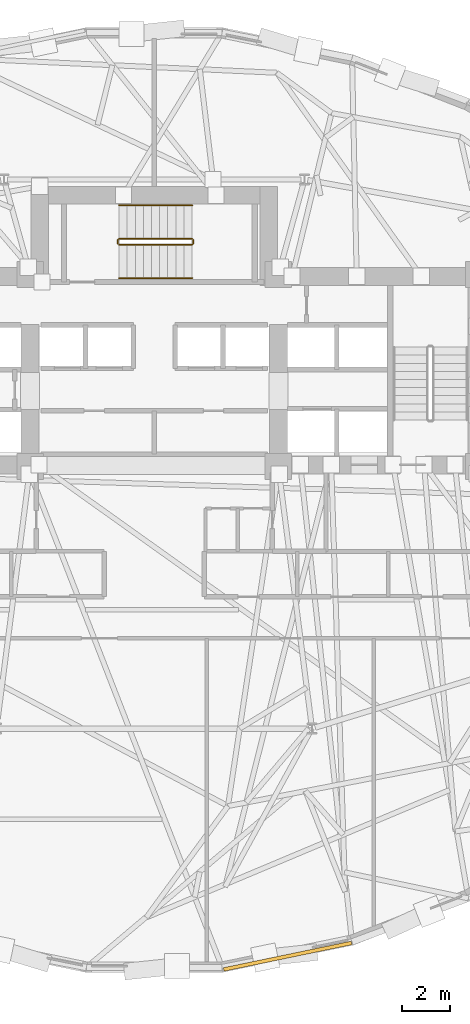
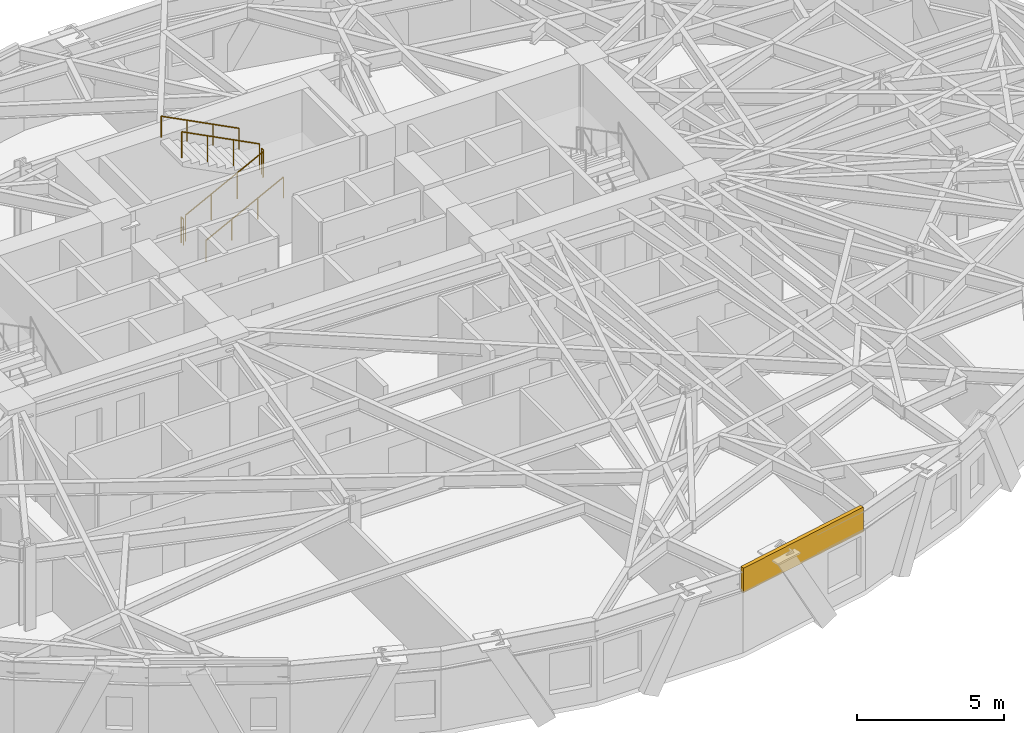
# One storey, part 12 of 14: 6 railings, 1 covering.
"""IFC4 building model written with IfcOpenShell, lengths in metres."""

from ifc_helpers import new_model, si_unit, direction, frame, origin, origin_2d, place, context, subcontext, project, spatial, rectangle, circle, extrude, material, layer, layer_set, type_object, element, save


model = new_model("IFC4")

# Units and contexts
model_context = context("Model", 3, precision=1e-05, world=origin(), true_north=direction((0.0, 1.0)))
body_context = subcontext(model_context, "Body", "Model", "MODEL_VIEW")
ifc_project = project(units=[si_unit("LENGTHUNIT", "METRE"), si_unit("AREAUNIT", "SQUARE_METRE"), si_unit("VOLUMEUNIT", "CUBIC_METRE"), si_unit("PLANEANGLEUNIT", "RADIAN"), si_unit("MASSUNIT", "GRAM", prefix="KILO")], contexts=[model_context])

# Site, building, storey
site_placement = place(None, origin())
site = spatial("IfcSite", under=ifc_project, at=site_placement, CompositionType="ELEMENT")
building_placement = place(site_placement, origin())
building = spatial("IfcBuilding", under=site, at=building_placement, Name="Keldmark Tower", CompositionType="ELEMENT")
storey_placement = place(building_placement, frame((0.0, 0.0, 86.10009765625)))
storey = spatial("IfcBuildingStorey", under=building, at=storey_placement, Name="L22", CompositionType="ELEMENT", Elevation=86.10009765625)

# Covering
ifc_material_1 = material(Name="Honed Kasota Buff Dolomitic Limestone", Category="masonry")
ifc_layer = layer(ifc_material_1, 0.074951171875)
ifc_layer_set = layer_set([ifc_layer], Name="Honed Kasota Buff Dolomitic Limestone")
covering_type = type_object("IfcCoveringType", Name="Kasota Buff Limestone Spandrel Cladding Band", PredefinedType="CLADDING", material=ifc_layer_set)
covering_placement = place(storey_placement, frame((5.591796875, -19.12158203125, 2.45166015625), z_axis=(0.0, 0.0, 1.0), x_axis=(0.979120045322, 0.203282898563, 0.0)))
element("IfcCovering", 1, at=covering_placement, inside=storey, type_object=covering_type, Name="L22 Kasota Limestone Spandrel Band 25", PredefinedType="CLADDING", context=body_context, shape_type="SweptSolid", body=[
    extrude(rectangle(XDim=5.4716796875, YDim=0.14990234375, at=origin_2d()), origin(), (0.0, 0.0, 1.0), 1.028076171875),
])

# Railings
ifc_material_2 = material(Name="Painted Steel ASTM A500 Grade B", Category="steel")
railing_type_1 = type_object("IfcRailingType", Name="Painted Steel Stair Well Guard 1100 mm", PredefinedType="GUARDRAIL", material=ifc_material_2)
railing_1_placement = place(storey_placement, frame((-1.47509765625, 10.699951171875, 0.1748046875)))
element("IfcRailing", 2, at=railing_1_placement, inside=storey, type_object=railing_type_1, Name="L22 ST3 stair guard 1", PredefinedType="GUARDRAIL", context=body_context, shape_type="SweptSolid", body=[
    extrude(circle(Radius=0.02392578125, at=origin_2d()), frame((0.0, 0.0, 1.076171875), z_axis=(0.889116283586, 0.0, 0.457681367616), x_axis=(0.0, 1.0, 0.0)), (0.0, 0.0, 1.0), 3.441650390625),
    extrude(circle(Radius=0.02099609375, at=origin_2d()), origin(), (0.0, 0.0, 1.0), 1.052001953125),
    extrude(circle(Radius=0.02099609375, at=origin_2d()), frame((1.02001953125, 0.0, 0.525146484375)), (0.0, 0.0, 1.0), 1.052001953125),
    extrude(circle(Radius=0.02099609375, at=origin_2d()), frame((2.0400390625, 0.0, 1.050048828125)), (0.0, 0.0, 1.0), 1.052001953125),
    extrude(circle(Radius=0.02099609375, at=origin_2d()), frame((3.06005859375, 0.0, 1.5751953125)), (0.0, 0.0, 1.0), 1.052001953125),
])
railing_2_placement = place(storey_placement, frame((1.635009765625, 10.75, 1.75)))
element("IfcRailing", 3, at=railing_2_placement, inside=storey, type_object=railing_type_1, Name="L22 ST3 stair guard 2", PredefinedType="GUARDRAIL", context=body_context, shape_type="SweptSolid", body=[
    extrude(circle(Radius=0.02392578125, at=origin_2d()), frame((0.0, 0.0, 1.076171875), z_axis=(0.0, 1.0, 0.0), x_axis=(-1.0, 0.0, 0.0)), (0.0, 0.0, 1.0), 0.14990234375),
    extrude(circle(Radius=0.02099609375, at=origin_2d()), origin(), (0.0, 0.0, 1.0), 1.052001953125),
    extrude(circle(Radius=0.02099609375, at=origin_2d()), frame((0.0, 0.14990234375, 0.0)), (0.0, 0.0, 1.0), 1.052001953125),
])
railing_3_placement = place(storey_placement, frame((1.5849609375, 10.949951171875, 1.9248046875)))
element("IfcRailing", 4, at=railing_3_placement, inside=storey, type_object=railing_type_1, Name="L22 ST3 stair guard 3", PredefinedType="GUARDRAIL", context=body_context, shape_type="SweptSolid", body=[
    extrude(circle(Radius=0.02392578125, at=origin_2d()), frame((0.0, 0.0, 1.076171875), z_axis=(-0.889116283586, 0.0, 0.457681367616), x_axis=(0.0, -1.0, 0.0)), (0.0, 0.0, 1.0), 3.441650390625),
    extrude(circle(Radius=0.02099609375, at=origin_2d()), origin(), (0.0, 0.0, 1.0), 1.052001953125),
    extrude(circle(Radius=0.02099609375, at=origin_2d()), frame((-1.02001953125, 0.0, 0.525146484375)), (0.0, 0.0, 1.0), 1.052001953125),
    extrude(circle(Radius=0.02099609375, at=origin_2d()), frame((-2.0400390625, 0.0, 1.050048828125)), (0.0, 0.0, 1.0), 1.052001953125),
    extrude(circle(Radius=0.02099609375, at=origin_2d()), frame((-3.06005859375, 0.0, 1.5751953125)), (0.0, 0.0, 1.0), 1.052001953125),
])
railing_4_placement = place(storey_placement, frame((-1.52490234375, 10.75, 0.0)))
element("IfcRailing", 5, at=railing_4_placement, inside=storey, type_object=railing_type_1, Name="L22 ST3 stair guard 4", PredefinedType="GUARDRAIL", context=body_context, shape_type="SweptSolid", body=[
    extrude(circle(Radius=0.02392578125, at=origin_2d()), frame((0.0, 0.0, 1.076171875), z_axis=(0.0, 1.0, 0.0), x_axis=(-1.0, 0.0, 0.0)), (0.0, 0.0, 1.0), 0.14990234375),
    extrude(circle(Radius=0.02099609375, at=origin_2d()), origin(), (0.0, 0.0, 1.0), 1.052001953125),
    extrude(circle(Radius=0.02099609375, at=origin_2d()), frame((0.0, 0.14990234375, 0.0)), (0.0, 0.0, 1.0), 1.052001953125),
])
ifc_material_3 = material(Name="Stainless Steel AISI 316L", Category="steel")
railing_type_2 = type_object("IfcRailingType", Name="Stainless Steel Stair Handrail 900 mm", PredefinedType="HANDRAIL", material=ifc_material_3)
railing_5_placement = place(storey_placement, frame((-1.47509765625, 9.300048828125, 0.1748046875)))
element("IfcRailing", 6, at=railing_5_placement, inside=storey, type_object=railing_type_2, Name="L22 ST3 stair handrail 1", PredefinedType="HANDRAIL", context=body_context, shape_type="SweptSolid", body=[
    extrude(circle(Radius=0.02392578125, at=origin_2d()), frame((0.0, 0.0, 0.8759765625), z_axis=(0.889116283586, 0.0, 0.457681367616), x_axis=(0.0, 1.0, 0.0)), (0.0, 0.0, 1.0), 3.441650390625),
    extrude(circle(Radius=0.02099609375, at=origin_2d()), origin(), (0.0, 0.0, 1.0), 0.851806640625),
    extrude(circle(Radius=0.02099609375, at=origin_2d()), frame((1.02001953125, 0.0, 0.525146484375)), (0.0, 0.0, 1.0), 0.851806640625),
    extrude(circle(Radius=0.02099609375, at=origin_2d()), frame((2.0400390625, 0.0, 1.050048828125)), (0.0, 0.0, 1.0), 0.851806640625),
    extrude(circle(Radius=0.02099609375, at=origin_2d()), frame((3.06005859375, 0.0, 1.5751953125)), (0.0, 0.0, 1.0), 0.851806640625),
])
railing_6_placement = place(storey_placement, frame((1.5849609375, 12.35009765625, 1.9248046875)))
element("IfcRailing", 7, at=railing_6_placement, inside=storey, type_object=railing_type_2, Name="L22 ST3 stair handrail 2", PredefinedType="HANDRAIL", context=body_context, shape_type="SweptSolid", body=[
    extrude(circle(Radius=0.02392578125, at=origin_2d()), frame((0.0, 0.0, 0.8759765625), z_axis=(-0.889116283586, 0.0, 0.457681367616), x_axis=(0.0, -1.0, 0.0)), (0.0, 0.0, 1.0), 3.441650390625),
    extrude(circle(Radius=0.02099609375, at=origin_2d()), origin(), (0.0, 0.0, 1.0), 0.851806640625),
    extrude(circle(Radius=0.02099609375, at=origin_2d()), frame((-1.02001953125, 0.0, 0.525146484375)), (0.0, 0.0, 1.0), 0.851806640625),
    extrude(circle(Radius=0.02099609375, at=origin_2d()), frame((-2.0400390625, 0.0, 1.050048828125)), (0.0, 0.0, 1.0), 0.851806640625),
    extrude(circle(Radius=0.02099609375, at=origin_2d()), frame((-3.06005859375, 0.0, 1.5751953125)), (0.0, 0.0, 1.0), 0.851806640625),
])

save(model, "model.ifc")
